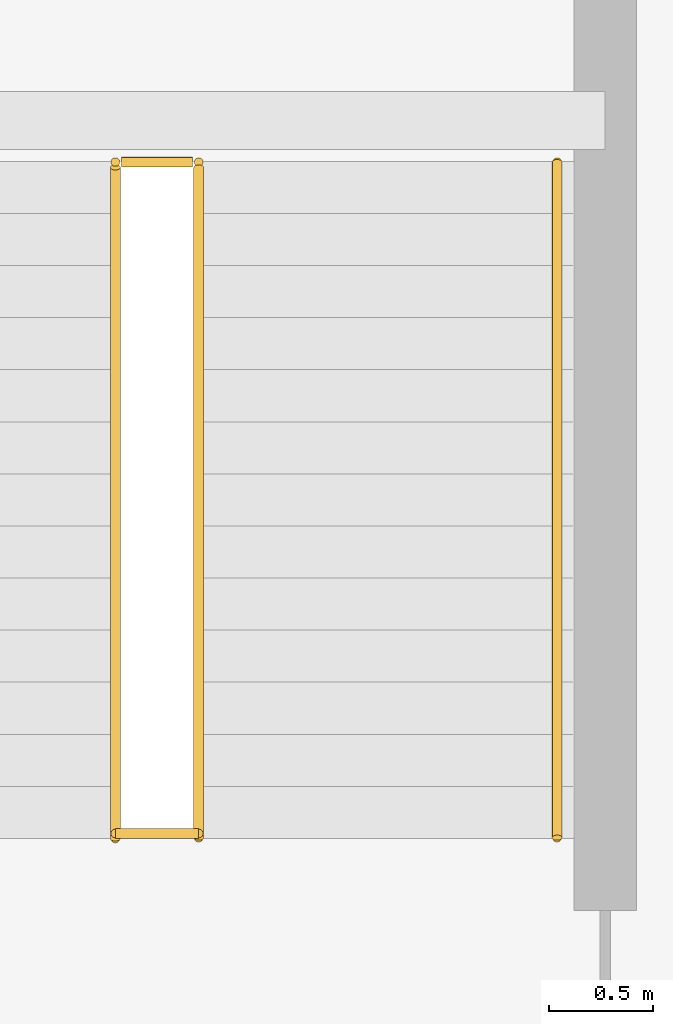
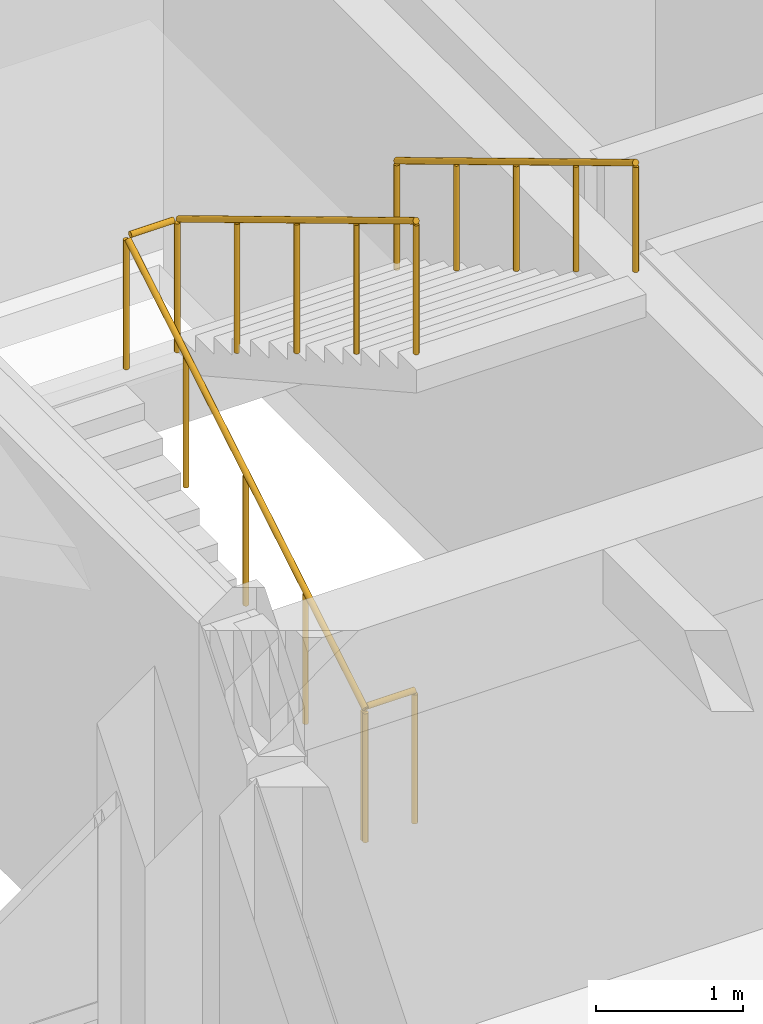
# One storey, part 150 of 156: 3 railings.
"""IFC4 building model written with IfcOpenShell, lengths in metres."""

from ifc_helpers import new_model, si_unit, direction, frame, origin, origin_2d, place, context, subcontext, project, spatial, circle, extrude, material, type_object, element, save


model = new_model("IFC4")

# Units and contexts
model_context = context("Model", 3, precision=1e-05, world=origin(), true_north=direction((0.0, 1.0)))
body_context = subcontext(model_context, "Body", "Model", "MODEL_VIEW")
ifc_project = project(units=[si_unit("LENGTHUNIT", "METRE"), si_unit("AREAUNIT", "SQUARE_METRE"), si_unit("VOLUMEUNIT", "CUBIC_METRE"), si_unit("PLANEANGLEUNIT", "RADIAN"), si_unit("MASSUNIT", "GRAM", prefix="KILO")], contexts=[model_context])

# Site, building, storey
site_placement = place(None, origin())
site = spatial("IfcSite", under=ifc_project, at=site_placement, CompositionType="ELEMENT")
building_placement = place(site_placement, origin())
building = spatial("IfcBuilding", under=site, at=building_placement, Name="Ornek Quay Market", CompositionType="ELEMENT")
storey_placement = place(building_placement, frame((0.0, 0.0, 4.5)))
storey = spatial("IfcBuildingStorey", under=building, at=storey_placement, Name="L01", CompositionType="ELEMENT", Elevation=4.5)

# Railings
ifc_material = material(Name="Brushed stainless steel 316", Category="steel")
railing_type_1 = type_object("IfcRailingType", Name="RL-GUARD-STAIR-1100", PredefinedType="GUARDRAIL", material=ifc_material)
railing_1_placement = place(storey_placement, frame((56.89990234375, 94.1201171875, 0.0)))
element("IfcRailing", 1, at=railing_1_placement, inside=storey, type_object=railing_type_1, Name="Railing GR-03-020", PredefinedType="GUARDRAIL", context=body_context, shape_type="SweptSolid", body=[
    extrude(circle(Radius=0.02392578125, at=origin_2d()), frame((0.0, 0.0, 1.09619140625), z_axis=(1.0, 0.0, 0.0), x_axis=(0.0, 1.0, 0.0)), (0.0, 0.0, 1.0), 0.400146484375),
    extrude(circle(Radius=0.02099609375, at=origin_2d()), origin(), (0.0, 0.0, 1.0), 1.068115234375),
    extrude(circle(Radius=0.02099609375, at=origin_2d()), frame((0.400146484375, 0.0, 0.0)), (0.0, 0.0, 1.0), 1.068115234375),
])
railing_2_placement = place(storey_placement, frame((56.89990234375, 94.095947265625, 0.0)))
element("IfcRailing", 2, at=railing_2_placement, inside=storey, type_object=railing_type_1, Name="Railing GR-03-021", PredefinedType="GUARDRAIL", context=body_context, shape_type="SweptSolid", body=[
    extrude(circle(Radius=0.02392578125, at=origin_2d()), frame((0.0, 0.0, 1.09619140625), z_axis=(0.0, 0.857225438961, 0.514941304226), x_axis=(-1.0, 0.0, 0.0)), (0.0, 0.0, 1.0), 3.7568359375),
    extrude(circle(Radius=0.02392578125, at=origin_2d()), frame((0.030029296875, 3.24609375, 3.0458984375), z_axis=(1.0, 0.0, 0.0), x_axis=(0.0, 1.0, 0.0)), (0.0, 0.0, 1.0), 0.340087890625),
    extrude(circle(Radius=0.02392578125, at=origin_2d()), frame((0.400146484375, 3.220458984375, 3.0615234375), z_axis=(0.0, -0.856934400257, 0.515425487977), x_axis=(1.0, 0.0, 0.0)), (0.0, 0.0, 1.0), 3.753173828125),
    extrude(circle(Radius=0.02099609375, at=origin_2d()), origin(), (0.0, 0.0, 1.0), 1.068115234375),
    extrude(circle(Radius=0.02099609375, at=origin_2d()), frame((0.0, 0.8115234375, 0.487548828125)), (0.0, 0.0, 1.0), 1.068115234375),
    extrude(circle(Radius=0.02099609375, at=origin_2d()), frame((0.0, 1.623046875, 0.97509765625)), (0.0, 0.0, 1.0), 1.068115234375),
    extrude(circle(Radius=0.02099609375, at=origin_2d()), frame((0.0, 2.4345703125, 1.46240234375)), (0.0, 0.0, 1.0), 1.068115234375),
    extrude(circle(Radius=0.02099609375, at=origin_2d()), frame((0.0, 3.24609375, 1.949951171875)), (0.0, 0.0, 1.0), 1.068115234375),
    extrude(circle(Radius=0.02099609375, at=origin_2d()), frame((0.400146484375, 3.24609375, 1.949951171875)), (0.0, 0.0, 1.0), 1.068115234375),
    extrude(circle(Radius=0.02099609375, at=origin_2d()), frame((0.400146484375, 2.435546875, 2.4375)), (0.0, 0.0, 1.0), 1.068115234375),
    extrude(circle(Radius=0.02099609375, at=origin_2d()), frame((0.400146484375, 1.625, 2.9248046875)), (0.0, 0.0, 1.0), 1.068115234375),
    extrude(circle(Radius=0.02099609375, at=origin_2d()), frame((0.400146484375, 0.814697265625, 3.412353515625)), (0.0, 0.0, 1.0), 1.068115234375),
    extrude(circle(Radius=0.02099609375, at=origin_2d()), frame((0.400146484375, 0.004150390625, 3.89990234375)), (0.0, 0.0, 1.0), 1.068115234375),
])
railing_type_2 = type_object("IfcRailingType", Name="RL-HANDRAIL-920", PredefinedType="HANDRAIL", material=ifc_material)
railing_3_placement = place(storey_placement, frame((59.02001953125, 97.342041015625, 2.030029296875)))
element("IfcRailing", 3, at=railing_3_placement, inside=storey, type_object=railing_type_2, Name="Railing HR-01-023", PredefinedType="HANDRAIL", context=body_context, shape_type="SweptSolid", body=[
    extrude(circle(Radius=0.02392578125, at=origin_2d()), frame((0.0, 0.0, 0.89599609375), z_axis=(0.0, -0.856934400257, 0.515425487977), x_axis=(1.0, 0.0, 0.0)), (0.0, 0.0, 1.0), 3.783203125),
    extrude(circle(Radius=0.02099609375, at=origin_2d()), origin(), (0.0, 0.0, 1.0), 0.867919921875),
    extrude(circle(Radius=0.02099609375, at=origin_2d()), frame((0.0, -0.810546875, 0.487548828125)), (0.0, 0.0, 1.0), 0.867919921875),
    extrude(circle(Radius=0.02099609375, at=origin_2d()), frame((0.0, -1.62109375, 0.97509765625)), (0.0, 0.0, 1.0), 0.867919921875),
    extrude(circle(Radius=0.02099609375, at=origin_2d()), frame((0.0, -2.431396484375, 1.46240234375)), (0.0, 0.0, 1.0), 0.867919921875),
    extrude(circle(Radius=0.02099609375, at=origin_2d()), frame((0.0, -3.241943359375, 1.949951171875)), (0.0, 0.0, 1.0), 0.867919921875),
])

save(model, "model.ifc")
